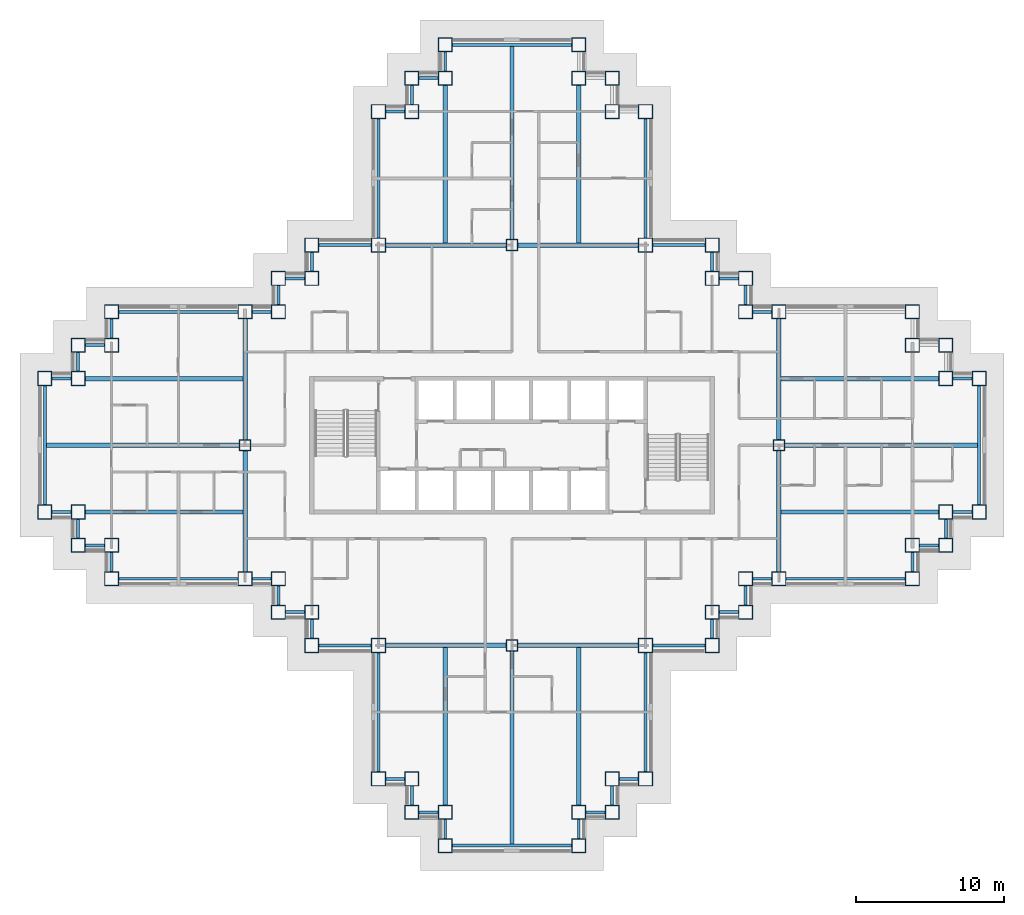
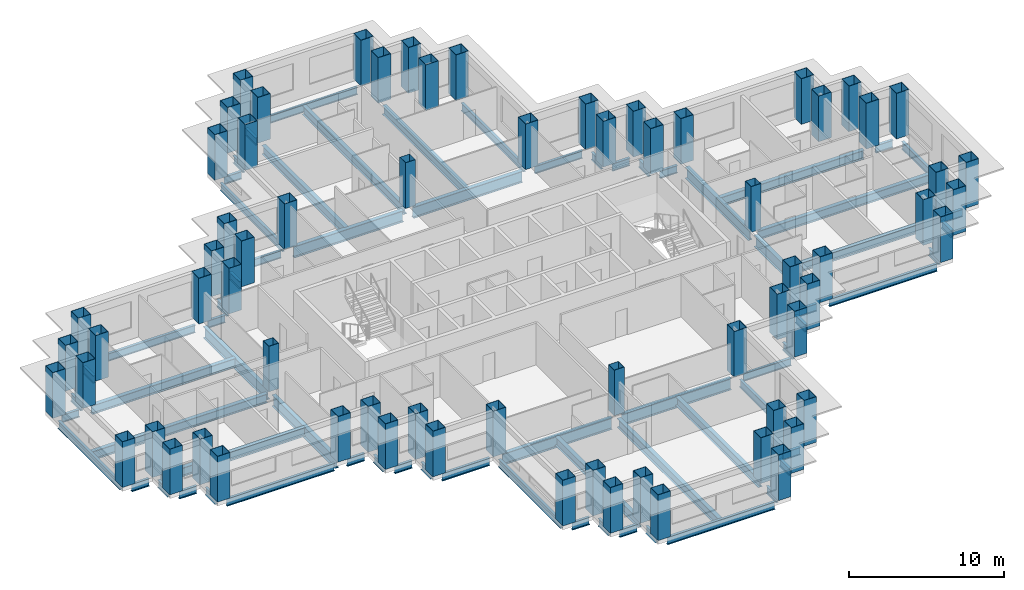
# One storey, part 1 of 15: 76 beams, 68 columns.
"""IFC4 building model written with IfcOpenShell, lengths in metres."""

from ifc_helpers import new_model, si_unit, direction, frame, origin, origin_2d, place, context, subcontext, project, spatial, hollow_rectangle, i_section, extrude, material, material_profile, profile_set, type_object, element, save


model = new_model("IFC4")

# Units and contexts
model_context = context("Model", 3, precision=1e-05, world=origin(), true_north=direction((0.0, 1.0)))
body_context = subcontext(model_context, "Body", "Model", "MODEL_VIEW")
ifc_project = project(units=[si_unit("LENGTHUNIT", "METRE"), si_unit("AREAUNIT", "SQUARE_METRE"), si_unit("VOLUMEUNIT", "CUBIC_METRE"), si_unit("PLANEANGLEUNIT", "RADIAN"), si_unit("MASSUNIT", "GRAM", prefix="KILO")], contexts=[model_context])

# Site, building, storey
site_placement = place(None, origin())
site = spatial("IfcSite", under=ifc_project, at=site_placement, CompositionType="ELEMENT")
building_placement = place(site_placement, origin())
building = spatial("IfcBuilding", under=site, at=building_placement, Name="Caravel Reach Hotel and Residences", CompositionType="ELEMENT")
storey_placement = place(building_placement, frame((0.0, 0.0, 78.0)))
storey = spatial("IfcBuildingStorey", under=building, at=storey_placement, Name="L18", CompositionType="ELEMENT", Elevation=78.0)

# Columns
ifc_material_1 = material(Name="Concrete-filled steel tube Q390B with Concrete C70 infill", Category="concrete")
ifc_material_profile_1 = material_profile(ifc_material_1, hollow_rectangle(XDim=0.75, YDim=0.75, WallThickness=0.02392578125, at=origin_2d()), Name="RHS 750x750x24")
ifc_profile_set_1 = profile_set([ifc_material_profile_1], Name="Concrete-filled steel tube Q390B with Concrete C70 infill")
column_type_1 = type_object("IfcColumnType", Name="CFT 750x750 Q390B C70", PredefinedType="COLUMN", material=ifc_profile_set_1)
for number, where, z_axis, x_axis, name in (
    (1, (31.5, 40.5, 0.0), (0.0, 0.0, 1.0), (1.0, 0.0, 0.0), "C16 column"),
    (2, (31.5, 13.5, 0.0), (0.0, 0.0, 1.0), (1.0, 0.0, 0.0), "C16 column"),
    (3, (13.5, 27.0, 0.0), (0.0, 0.0, 1.0), (1.0, 0.0, 0.0), "C16 column"),
    (4, (49.5, 27.0, 0.0), (0.0, 0.0, 1.0), (1.0, 0.0, 0.0), "C16 column"),
):
    element("IfcColumn", number, at=place(storey_placement, frame(where, z_axis=z_axis, x_axis=x_axis)), inside=storey, type_object=column_type_1, Name=name, PredefinedType="COLUMN", context=body_context, shape_type="SweptSolid", body=[
        extrude(hollow_rectangle(XDim=0.75, YDim=0.75, WallThickness=0.02392578125, at=origin_2d()), origin(), (0.0, 0.0, 1.0), 3.60009765625),
    ])
ifc_material_2 = material(Name="Concrete-filled steel tube Q390B with Concrete C70 infill", Category="concrete")
ifc_material_profile_2 = material_profile(ifc_material_2, hollow_rectangle(XDim=0.949951171875, YDim=0.949951171875, WallThickness=0.030029296875, at=origin_2d()), Name="RHS 950x950x30")
ifc_profile_set_2 = profile_set([ifc_material_profile_2], Name="Concrete-filled steel tube Q390B with Concrete C70 infill")
column_type_2 = type_object("IfcColumnType", Name="CFT 950x950 Q390B C70", PredefinedType="COLUMN", material=ifc_profile_set_2)
for number, where, z_axis, x_axis, name in (
    (5, (22.5, 4.5, 0.0), (0.0, 0.0, 1.0), (1.0, 0.0, 0.0), "C12 column"),
    (6, (24.75, 4.5, 0.0), (0.0, 0.0, 1.0), (1.0, 0.0, 0.0), "C12 column"),
    (7, (24.75, 2.25, 0.0), (0.0, 0.0, 1.0), (1.0, 0.0, 0.0), "C12 column"),
    (8, (27.0, 2.25, 0.0), (0.0, 0.0, 1.0), (1.0, 0.0, 0.0), "C12 column"),
    (9, (27.0, 0.0, 0.0), (0.0, 0.0, 1.0), (1.0, 0.0, 0.0), "C12 column"),
    (10, (36.0, 0.0, 0.0), (0.0, 0.0, 1.0), (1.0, 0.0, 0.0), "C12 column"),
    (11, (36.0, 2.25, 0.0), (0.0, 0.0, 1.0), (1.0, 0.0, 0.0), "C12 column"),
    (12, (38.25, 2.25, 0.0), (0.0, 0.0, 1.0), (1.0, 0.0, 0.0), "C12 column"),
    (13, (38.25, 4.5, 0.0), (0.0, 0.0, 1.0), (1.0, 0.0, 0.0), "C12 column"),
    (14, (40.5, 4.5, 0.0), (0.0, 0.0, 1.0), (1.0, 0.0, 0.0), "C12 column"),
    (15, (40.5, 13.5, 0.0), (0.0, 0.0, 1.0), (1.0, 0.0, 0.0), "C12 column"),
    (16, (45.0, 13.5, 0.0), (0.0, 0.0, 1.0), (1.0, 0.0, 0.0), "C12 column"),
    (17, (45.0, 15.75, 0.0), (0.0, 0.0, 1.0), (1.0, 0.0, 0.0), "C12 column"),
    (18, (47.25, 15.75, 0.0), (0.0, 0.0, 1.0), (1.0, 0.0, 0.0), "C12 column"),
    (19, (47.25, 18.0, 0.0), (0.0, 0.0, 1.0), (1.0, 0.0, 0.0), "C12 column"),
    (20, (49.5, 18.0, 0.0), (0.0, 0.0, 1.0), (1.0, 0.0, 0.0), "C12 column"),
    (21, (58.5, 18.0, 0.0), (0.0, 0.0, 1.0), (1.0, 0.0, 0.0), "C12 column"),
    (22, (58.5, 20.25, 0.0), (0.0, 0.0, 1.0), (1.0, 0.0, 0.0), "C12 column"),
    (23, (60.75, 20.25, 0.0), (0.0, 0.0, 1.0), (1.0, 0.0, 0.0), "C12 column"),
    (24, (60.75, 22.5, 0.0), (0.0, 0.0, 1.0), (1.0, 0.0, 0.0), "C12 column"),
    (25, (63.0, 22.5, 0.0), (0.0, 0.0, 1.0), (1.0, 0.0, 0.0), "C12 column"),
    (26, (63.0, 31.5, 0.0), (0.0, 0.0, 1.0), (1.0, 0.0, 0.0), "C12 column"),
    (27, (60.75, 31.5, 0.0), (0.0, 0.0, 1.0), (1.0, 0.0, 0.0), "C12 column"),
    (28, (60.75, 33.75, 0.0), (0.0, 0.0, 1.0), (1.0, 0.0, 0.0), "C12 column"),
    (29, (58.5, 33.75, 0.0), (0.0, 0.0, 1.0), (1.0, 0.0, 0.0), "C12 column"),
    (30, (58.5, 36.0, 0.0), (0.0, 0.0, 1.0), (1.0, 0.0, 0.0), "C12 column"),
    (31, (49.5, 36.0, 0.0), (0.0, 0.0, 1.0), (1.0, 0.0, 0.0), "C12 column"),
    (32, (47.25, 36.0, 0.0), (0.0, 0.0, 1.0), (1.0, 0.0, 0.0), "C12 column"),
    (33, (47.25, 38.25, 0.0), (0.0, 0.0, 1.0), (1.0, 0.0, 0.0), "C12 column"),
    (34, (45.0, 38.25, 0.0), (0.0, 0.0, 1.0), (1.0, 0.0, 0.0), "C12 column"),
    (35, (45.0, 40.5, 0.0), (0.0, 0.0, 1.0), (1.0, 0.0, 0.0), "C12 column"),
    (36, (40.5, 40.5, 0.0), (0.0, 0.0, 1.0), (1.0, 0.0, 0.0), "C12 column"),
    (37, (40.5, 49.5, 0.0), (0.0, 0.0, 1.0), (1.0, 0.0, 0.0), "C12 column"),
    (38, (38.25, 49.5, 0.0), (0.0, 0.0, 1.0), (1.0, 0.0, 0.0), "C12 column"),
    (39, (38.25, 51.75, 0.0), (0.0, 0.0, 1.0), (1.0, 0.0, 0.0), "C12 column"),
    (40, (36.0, 51.75, 0.0), (0.0, 0.0, 1.0), (1.0, 0.0, 0.0), "C12 column"),
    (41, (36.0, 54.0, 0.0), (0.0, 0.0, 1.0), (1.0, 0.0, 0.0), "C12 column"),
    (42, (27.0, 54.0, 0.0), (0.0, 0.0, 1.0), (1.0, 0.0, 0.0), "C12 column"),
    (43, (27.0, 51.75, 0.0), (0.0, 0.0, 1.0), (1.0, 0.0, 0.0), "C12 column"),
    (44, (24.75, 51.75, 0.0), (0.0, 0.0, 1.0), (1.0, 0.0, 0.0), "C12 column"),
    (45, (24.75, 49.5, 0.0), (0.0, 0.0, 1.0), (1.0, 0.0, 0.0), "C12 column"),
    (46, (22.5, 49.5, 0.0), (0.0, 0.0, 1.0), (1.0, 0.0, 0.0), "C12 column"),
    (47, (22.5, 40.5, 0.0), (0.0, 0.0, 1.0), (1.0, 0.0, 0.0), "C12 column"),
    (48, (18.0, 40.5, 0.0), (0.0, 0.0, 1.0), (1.0, 0.0, 0.0), "C12 column"),
    (49, (18.0, 38.25, 0.0), (0.0, 0.0, 1.0), (1.0, 0.0, 0.0), "C12 column"),
    (50, (15.75, 38.25, 0.0), (0.0, 0.0, 1.0), (1.0, 0.0, 0.0), "C12 column"),
    (51, (15.75, 36.0, 0.0), (0.0, 0.0, 1.0), (1.0, 0.0, 0.0), "C12 column"),
    (52, (13.5, 36.0, 0.0), (0.0, 0.0, 1.0), (1.0, 0.0, 0.0), "C12 column"),
    (53, (4.5, 36.0, 0.0), (0.0, 0.0, 1.0), (1.0, 0.0, 0.0), "C12 column"),
    (54, (4.5, 33.75, 0.0), (0.0, 0.0, 1.0), (1.0, 0.0, 0.0), "C12 column"),
    (55, (2.25, 33.75, 0.0), (0.0, 0.0, 1.0), (1.0, 0.0, 0.0), "C12 column"),
    (56, (2.25, 31.5, 0.0), (0.0, 0.0, 1.0), (1.0, 0.0, 0.0), "C12 column"),
    (57, (0.0, 31.5, 0.0), (0.0, 0.0, 1.0), (1.0, 0.0, 0.0), "C12 column"),
    (58, (0.0, 22.5, 0.0), (0.0, 0.0, 1.0), (1.0, 0.0, 0.0), "C12 column"),
    (59, (2.25, 22.5, 0.0), (0.0, 0.0, 1.0), (1.0, 0.0, 0.0), "C12 column"),
    (60, (2.25, 20.25, 0.0), (0.0, 0.0, 1.0), (1.0, 0.0, 0.0), "C12 column"),
    (61, (4.5, 20.25, 0.0), (0.0, 0.0, 1.0), (1.0, 0.0, 0.0), "C12 column"),
    (62, (4.5, 18.0, 0.0), (0.0, 0.0, 1.0), (1.0, 0.0, 0.0), "C12 column"),
    (63, (13.5, 18.0, 0.0), (0.0, 0.0, 1.0), (1.0, 0.0, 0.0), "C12 column"),
    (64, (15.75, 18.0, 0.0), (0.0, 0.0, 1.0), (1.0, 0.0, 0.0), "C12 column"),
    (65, (15.75, 15.75, 0.0), (0.0, 0.0, 1.0), (1.0, 0.0, 0.0), "C12 column"),
    (66, (18.0, 15.75, 0.0), (0.0, 0.0, 1.0), (1.0, 0.0, 0.0), "C12 column"),
    (67, (18.0, 13.5, 0.0), (0.0, 0.0, 1.0), (1.0, 0.0, 0.0), "C12 column"),
    (68, (22.5, 13.5, 0.0), (0.0, 0.0, 1.0), (1.0, 0.0, 0.0), "C12 column"),
):
    element("IfcColumn", number, at=place(storey_placement, frame(where, z_axis=z_axis, x_axis=x_axis)), inside=storey, type_object=column_type_2, Name=name, PredefinedType="COLUMN", context=body_context, shape_type="SweptSolid", body=[
        extrude(hollow_rectangle(XDim=0.949951171875, YDim=0.949951171875, WallThickness=0.030029296875, at=origin_2d()), origin(), (0.0, 0.0, 1.0), 3.60009765625),
    ])

# Beams
ifc_material_3 = material(Name="Structural steel Q355B", Category="steel")
ifc_material_profile_3 = material_profile(ifc_material_3, i_section(OverallWidth=0.300048828125, OverallDepth=0.699951171875, WebThickness=0.012939453125, FlangeThickness=0.02392578125, FilletRadius=0.01806640625, at=origin_2d()), Name="HN 700x300x13x24")
ifc_profile_set_3 = profile_set([ifc_material_profile_3], Name="Structural steel Q355B")
beam_type_1 = type_object("IfcBeamType", Name="Beam HN 700x300x13x24", PredefinedType="BEAM", material=ifc_profile_set_3)
beam_1_placement = place(storey_placement, frame((27.0, 40.60009765625, -0.64990234375), z_axis=(0.0, 1.0, 0.0), x_axis=(-1.0, 0.0, 0.0)))
element("IfcBeam", 69, at=beam_1_placement, inside=storey, type_object=beam_type_1, Name="B2 HN 700x300x13x24", PredefinedType="BEAM", context=body_context, shape_type="SweptSolid", body=[
    extrude(i_section(OverallWidth=0.300048828125, OverallDepth=0.699951171875, WebThickness=0.012939453125, FlangeThickness=0.02392578125, FilletRadius=0.01806640625, at=origin_2d()), origin(), (0.0, 0.0, 1.0), 10.724853515625),
])
beam_2_placement = place(storey_placement, frame((31.5, 40.824951171875, -0.64990234375), z_axis=(0.0, 1.0, 0.0), x_axis=(-1.0, 0.0, 0.0)))
element("IfcBeam", 70, at=beam_2_placement, inside=storey, type_object=beam_type_1, Name="B2 HN 700x300x13x24", PredefinedType="BEAM", context=body_context, shape_type="SweptSolid", body=[
    extrude(i_section(OverallWidth=0.300048828125, OverallDepth=0.699951171875, WebThickness=0.012939453125, FlangeThickness=0.02392578125, FilletRadius=0.01806640625, at=origin_2d()), origin(), (0.0, 0.0, 1.0), 13.074951171875),
])
for number, where, z_axis, x_axis, name in (
    (71, (36.0, 40.60009765625, -0.64990234375), (0.0, 1.0, 0.0), (-1.0, 0.0, 0.0), "B2 HN 700x300x13x24"),
    (72, (27.0, 13.39990234375, -0.64990234375), (0.0, -1.0, 0.0), (1.0, 0.0, 0.0), "B2 HN 700x300x13x24"),
):
    element("IfcBeam", number, at=place(storey_placement, frame(where, z_axis=z_axis, x_axis=x_axis)), inside=storey, type_object=beam_type_1, Name=name, PredefinedType="BEAM", context=body_context, shape_type="SweptSolid", body=[
        extrude(i_section(OverallWidth=0.300048828125, OverallDepth=0.699951171875, WebThickness=0.012939453125, FlangeThickness=0.02392578125, FilletRadius=0.01806640625, at=origin_2d()), origin(), (0.0, 0.0, 1.0), 10.724853515625),
    ])
beam_3_placement = place(storey_placement, frame((31.5, 13.175048828125, -0.64990234375), z_axis=(0.0, -1.0, 0.0), x_axis=(1.0, 0.0, 0.0)))
element("IfcBeam", 73, at=beam_3_placement, inside=storey, type_object=beam_type_1, Name="B2 HN 700x300x13x24", PredefinedType="BEAM", context=body_context, shape_type="SweptSolid", body=[
    extrude(i_section(OverallWidth=0.300048828125, OverallDepth=0.699951171875, WebThickness=0.012939453125, FlangeThickness=0.02392578125, FilletRadius=0.01806640625, at=origin_2d()), origin(), (0.0, 0.0, 1.0), 13.074951171875),
])
for number, where, z_axis, x_axis, name in (
    (74, (36.0, 13.39990234375, -0.64990234375), (0.0, -1.0, 0.0), (1.0, 0.0, 0.0), "B2 HN 700x300x13x24"),
    (75, (49.60009765625, 22.5, -0.64990234375), (1.0, 0.0, 0.0), (0.0, 1.0, 0.0), "B2 HN 700x300x13x24"),
):
    element("IfcBeam", number, at=place(storey_placement, frame(where, z_axis=z_axis, x_axis=x_axis)), inside=storey, type_object=beam_type_1, Name=name, PredefinedType="BEAM", context=body_context, shape_type="SweptSolid", body=[
        extrude(i_section(OverallWidth=0.300048828125, OverallDepth=0.699951171875, WebThickness=0.012939453125, FlangeThickness=0.02392578125, FilletRadius=0.01806640625, at=origin_2d()), origin(), (0.0, 0.0, 1.0), 10.724853515625),
    ])
beam_4_placement = place(storey_placement, frame((49.824951171875, 27.0, -0.64990234375), z_axis=(1.0, 0.0, 0.0), x_axis=(0.0, 1.0, 0.0)))
element("IfcBeam", 76, at=beam_4_placement, inside=storey, type_object=beam_type_1, Name="B2 HN 700x300x13x24", PredefinedType="BEAM", context=body_context, shape_type="SweptSolid", body=[
    extrude(i_section(OverallWidth=0.300048828125, OverallDepth=0.699951171875, WebThickness=0.012939453125, FlangeThickness=0.02392578125, FilletRadius=0.01806640625, at=origin_2d()), origin(), (0.0, 0.0, 1.0), 13.074951171875),
])
for number, where, z_axis, x_axis, name in (
    (77, (49.60009765625, 31.5, -0.64990234375), (1.0, 0.0, 0.0), (0.0, 1.0, 0.0), "B2 HN 700x300x13x24"),
    (78, (13.39990234375, 22.5, -0.64990234375), (-1.0, 0.0, 0.0), (0.0, -1.0, 0.0), "B2 HN 700x300x13x24"),
):
    element("IfcBeam", number, at=place(storey_placement, frame(where, z_axis=z_axis, x_axis=x_axis)), inside=storey, type_object=beam_type_1, Name=name, PredefinedType="BEAM", context=body_context, shape_type="SweptSolid", body=[
        extrude(i_section(OverallWidth=0.300048828125, OverallDepth=0.699951171875, WebThickness=0.012939453125, FlangeThickness=0.02392578125, FilletRadius=0.01806640625, at=origin_2d()), origin(), (0.0, 0.0, 1.0), 10.724853515625),
    ])
beam_5_placement = place(storey_placement, frame((13.175048828125, 27.0, -0.64990234375), z_axis=(-1.0, 0.0, 0.0), x_axis=(0.0, -1.0, 0.0)))
element("IfcBeam", 79, at=beam_5_placement, inside=storey, type_object=beam_type_1, Name="B2 HN 700x300x13x24", PredefinedType="BEAM", context=body_context, shape_type="SweptSolid", body=[
    extrude(i_section(OverallWidth=0.300048828125, OverallDepth=0.699951171875, WebThickness=0.012939453125, FlangeThickness=0.02392578125, FilletRadius=0.01806640625, at=origin_2d()), origin(), (0.0, 0.0, 1.0), 13.074951171875),
])
beam_6_placement = place(storey_placement, frame((13.39990234375, 31.5, -0.64990234375), z_axis=(-1.0, 0.0, 0.0), x_axis=(0.0, -1.0, 0.0)))
element("IfcBeam", 80, at=beam_6_placement, inside=storey, type_object=beam_type_1, Name="B2 HN 700x300x13x24", PredefinedType="BEAM", context=body_context, shape_type="SweptSolid", body=[
    extrude(i_section(OverallWidth=0.300048828125, OverallDepth=0.699951171875, WebThickness=0.012939453125, FlangeThickness=0.02392578125, FilletRadius=0.01806640625, at=origin_2d()), origin(), (0.0, 0.0, 1.0), 10.724853515625),
])
ifc_material_4 = material(Name="Structural steel Q355B", Category="steel")
ifc_material_profile_4 = material_profile(ifc_material_4, i_section(OverallWidth=0.300048828125, OverallDepth=0.89990234375, WebThickness=0.01611328125, FlangeThickness=0.028076171875, FilletRadius=0.01806640625, at=origin_2d()), Name="HN 900x300x16x28")
ifc_profile_set_4 = profile_set([ifc_material_profile_4], Name="Structural steel Q355B")
beam_type_2 = type_object("IfcBeamType", Name="Beam HN 900x300x16x28", PredefinedType="BEAM", material=ifc_profile_set_4)
for number, where, z_axis, x_axis, name in (
    (81, (22.97509765625, 40.5, -0.75), (1.0, 0.0, 0.0), (0.0, 1.0, 0.0), "B3 HN 900x300x16x28"),
    (82, (31.875, 40.5, -0.75), (1.0, 0.0, 0.0), (0.0, 1.0, 0.0), "B3 HN 900x300x16x28"),
    (83, (22.97509765625, 13.5, -0.75), (1.0, 0.0, 0.0), (0.0, 1.0, 0.0), "B3 HN 900x300x16x28"),
    (84, (31.875, 13.5, -0.75), (1.0, 0.0, 0.0), (0.0, 1.0, 0.0), "B3 HN 900x300x16x28"),
    (85, (13.5, 18.47509765625, -0.75), (0.0, 1.0, 0.0), (-1.0, 0.0, 0.0), "B3 HN 900x300x16x28"),
    (86, (13.5, 27.375, -0.75), (0.0, 1.0, 0.0), (-1.0, 0.0, 0.0), "B3 HN 900x300x16x28"),
    (87, (49.5, 18.47509765625, -0.75), (0.0, 1.0, 0.0), (-1.0, 0.0, 0.0), "B3 HN 900x300x16x28"),
    (88, (49.5, 27.375, -0.75), (0.0, 1.0, 0.0), (-1.0, 0.0, 0.0), "B3 HN 900x300x16x28"),
):
    element("IfcBeam", number, at=place(storey_placement, frame(where, z_axis=z_axis, x_axis=x_axis)), inside=storey, type_object=beam_type_2, Name=name, PredefinedType="BEAM", context=body_context, shape_type="SweptSolid", body=[
        extrude(i_section(OverallWidth=0.300048828125, OverallDepth=0.89990234375, WebThickness=0.01611328125, FlangeThickness=0.028076171875, FilletRadius=0.01806640625, at=origin_2d()), origin(), (0.0, 0.0, 1.0), 8.14990234375),
    ])
ifc_material_5 = material(Name="Structural steel Q355B", Category="steel")
ifc_material_profile_5 = material_profile(ifc_material_5, i_section(OverallWidth=0.199951171875, OverallDepth=0.60009765625, WebThickness=0.010986328125, FlangeThickness=0.01708984375, FilletRadius=0.012939453125, at=origin_2d()), Name="HN 600x200x11x17")
ifc_profile_set_5 = profile_set([ifc_material_profile_5], Name="Structural steel Q355B")
beam_type_3 = type_object("IfcBeamType", Name="Spandrel beam HN 600x200x11x17", PredefinedType="SPANDREL", material=ifc_profile_set_5)
for number, where, z_axis, x_axis, name in (
    (89, (22.97509765625, 4.5, -0.60009765625), (1.0, 0.0, 0.0), (0.0, 1.0, 0.0), "SP1 HN 600x200x11x17"),
    (90, (24.75, 4.02490234375, -0.60009765625), (0.0, -1.0, 0.0), (1.0, 0.0, 0.0), "SP1 HN 600x200x11x17"),
    (91, (25.22509765625, 2.25, -0.60009765625), (1.0, 0.0, 0.0), (0.0, 1.0, 0.0), "SP1 HN 600x200x11x17"),
    (92, (27.0, 1.77490234375, -0.60009765625), (0.0, -1.0, 0.0), (1.0, 0.0, 0.0), "SP1 HN 600x200x11x17"),
):
    element("IfcBeam", number, at=place(storey_placement, frame(where, z_axis=z_axis, x_axis=x_axis)), inside=storey, type_object=beam_type_3, Name=name, PredefinedType="SPANDREL", context=body_context, shape_type="SweptSolid", body=[
        extrude(i_section(OverallWidth=0.199951171875, OverallDepth=0.60009765625, WebThickness=0.010986328125, FlangeThickness=0.01708984375, FilletRadius=0.012939453125, at=origin_2d()), origin(), (0.0, 0.0, 1.0), 1.2998046875),
    ])
beam_7_placement = place(storey_placement, frame((27.47509765625, 0.0, -0.60009765625), z_axis=(1.0, 0.0, 0.0), x_axis=(0.0, 1.0, 0.0)))
element("IfcBeam", 93, at=beam_7_placement, inside=storey, type_object=beam_type_3, Name="SP1 HN 600x200x11x17", PredefinedType="SPANDREL", context=body_context, shape_type="SweptSolid", body=[
    extrude(i_section(OverallWidth=0.199951171875, OverallDepth=0.60009765625, WebThickness=0.010986328125, FlangeThickness=0.01708984375, FilletRadius=0.012939453125, at=origin_2d()), origin(), (0.0, 0.0, 1.0), 8.0498046875),
])
for number, where, z_axis, x_axis, name in (
    (94, (36.0, 0.47509765625, -0.60009765625), (0.0, 1.0, 0.0), (-1.0, 0.0, 0.0), "SP1 HN 600x200x11x17"),
    (95, (36.47509765625, 2.25, -0.60009765625), (1.0, 0.0, 0.0), (0.0, 1.0, 0.0), "SP1 HN 600x200x11x17"),
    (96, (38.25, 2.72509765625, -0.60009765625), (0.0, 1.0, 0.0), (-1.0, 0.0, 0.0), "SP1 HN 600x200x11x17"),
    (97, (38.72509765625, 4.5, -0.60009765625), (1.0, 0.0, 0.0), (0.0, 1.0, 0.0), "SP1 HN 600x200x11x17"),
):
    element("IfcBeam", number, at=place(storey_placement, frame(where, z_axis=z_axis, x_axis=x_axis)), inside=storey, type_object=beam_type_3, Name=name, PredefinedType="SPANDREL", context=body_context, shape_type="SweptSolid", body=[
        extrude(i_section(OverallWidth=0.199951171875, OverallDepth=0.60009765625, WebThickness=0.010986328125, FlangeThickness=0.01708984375, FilletRadius=0.012939453125, at=origin_2d()), origin(), (0.0, 0.0, 1.0), 1.2998046875),
    ])
beam_8_placement = place(storey_placement, frame((40.5, 4.97509765625, -0.60009765625), z_axis=(0.0, 1.0, 0.0), x_axis=(-1.0, 0.0, 0.0)))
element("IfcBeam", 98, at=beam_8_placement, inside=storey, type_object=beam_type_3, Name="SP1 HN 600x200x11x17", PredefinedType="SPANDREL", context=body_context, shape_type="SweptSolid", body=[
    extrude(i_section(OverallWidth=0.199951171875, OverallDepth=0.60009765625, WebThickness=0.010986328125, FlangeThickness=0.01708984375, FilletRadius=0.012939453125, at=origin_2d()), origin(), (0.0, 0.0, 1.0), 8.0498046875),
])
beam_9_placement = place(storey_placement, frame((40.97509765625, 13.5, -0.60009765625), z_axis=(1.0, 0.0, 0.0), x_axis=(0.0, 1.0, 0.0)))
element("IfcBeam", 99, at=beam_9_placement, inside=storey, type_object=beam_type_3, Name="SP1 HN 600x200x11x17", PredefinedType="SPANDREL", context=body_context, shape_type="SweptSolid", body=[
    extrude(i_section(OverallWidth=0.199951171875, OverallDepth=0.60009765625, WebThickness=0.010986328125, FlangeThickness=0.01708984375, FilletRadius=0.012939453125, at=origin_2d()), origin(), (0.0, 0.0, 1.0), 3.5498046875),
])
for number, where, z_axis, x_axis, name in (
    (100, (45.0, 13.97509765625, -0.60009765625), (0.0, 1.0, 0.0), (-1.0, 0.0, 0.0), "SP1 HN 600x200x11x17"),
    (101, (45.47509765625, 15.75, -0.60009765625), (1.0, 0.0, 0.0), (0.0, 1.0, 0.0), "SP1 HN 600x200x11x17"),
    (102, (47.25, 16.22509765625, -0.60009765625), (0.0, 1.0, 0.0), (-1.0, 0.0, 0.0), "SP1 HN 600x200x11x17"),
    (103, (47.72509765625, 18.0, -0.60009765625), (1.0, 0.0, 0.0), (0.0, 1.0, 0.0), "SP1 HN 600x200x11x17"),
):
    element("IfcBeam", number, at=place(storey_placement, frame(where, z_axis=z_axis, x_axis=x_axis)), inside=storey, type_object=beam_type_3, Name=name, PredefinedType="SPANDREL", context=body_context, shape_type="SweptSolid", body=[
        extrude(i_section(OverallWidth=0.199951171875, OverallDepth=0.60009765625, WebThickness=0.010986328125, FlangeThickness=0.01708984375, FilletRadius=0.012939453125, at=origin_2d()), origin(), (0.0, 0.0, 1.0), 1.2998046875),
    ])
beam_10_placement = place(storey_placement, frame((49.97509765625, 18.0, -0.60009765625), z_axis=(1.0, 0.0, 0.0), x_axis=(0.0, 1.0, 0.0)))
element("IfcBeam", 104, at=beam_10_placement, inside=storey, type_object=beam_type_3, Name="SP1 HN 600x200x11x17", PredefinedType="SPANDREL", context=body_context, shape_type="SweptSolid", body=[
    extrude(i_section(OverallWidth=0.199951171875, OverallDepth=0.60009765625, WebThickness=0.010986328125, FlangeThickness=0.01708984375, FilletRadius=0.012939453125, at=origin_2d()), origin(), (0.0, 0.0, 1.0), 8.0498046875),
])
for number, where, z_axis, x_axis, name in (
    (105, (58.5, 18.47509765625, -0.60009765625), (0.0, 1.0, 0.0), (-1.0, 0.0, 0.0), "SP1 HN 600x200x11x17"),
    (106, (58.97509765625, 20.25, -0.60009765625), (1.0, 0.0, 0.0), (0.0, 1.0, 0.0), "SP1 HN 600x200x11x17"),
    (107, (60.75, 20.72509765625, -0.60009765625), (0.0, 1.0, 0.0), (-1.0, 0.0, 0.0), "SP1 HN 600x200x11x17"),
    (108, (61.22509765625, 22.5, -0.60009765625), (1.0, 0.0, 0.0), (0.0, 1.0, 0.0), "SP1 HN 600x200x11x17"),
):
    element("IfcBeam", number, at=place(storey_placement, frame(where, z_axis=z_axis, x_axis=x_axis)), inside=storey, type_object=beam_type_3, Name=name, PredefinedType="SPANDREL", context=body_context, shape_type="SweptSolid", body=[
        extrude(i_section(OverallWidth=0.199951171875, OverallDepth=0.60009765625, WebThickness=0.010986328125, FlangeThickness=0.01708984375, FilletRadius=0.012939453125, at=origin_2d()), origin(), (0.0, 0.0, 1.0), 1.2998046875),
    ])
beam_11_placement = place(storey_placement, frame((63.0, 22.97509765625, -0.60009765625), z_axis=(0.0, 1.0, 0.0), x_axis=(-1.0, 0.0, 0.0)))
element("IfcBeam", 109, at=beam_11_placement, inside=storey, type_object=beam_type_3, Name="SP1 HN 600x200x11x17", PredefinedType="SPANDREL", context=body_context, shape_type="SweptSolid", body=[
    extrude(i_section(OverallWidth=0.199951171875, OverallDepth=0.60009765625, WebThickness=0.010986328125, FlangeThickness=0.01708984375, FilletRadius=0.012939453125, at=origin_2d()), origin(), (0.0, 0.0, 1.0), 8.0498046875),
])
for number, where, z_axis, x_axis, name in (
    (110, (62.52490234375, 31.5, -0.60009765625), (-1.0, 0.0, 0.0), (0.0, -1.0, 0.0), "SP1 HN 600x200x11x17"),
    (111, (49.02490234375, 36.0, -0.60009765625), (-1.0, 0.0, 0.0), (0.0, -1.0, 0.0), "SP1 HN 600x200x11x17"),
    (112, (47.25, 36.47509765625, -0.60009765625), (0.0, 1.0, 0.0), (-1.0, 0.0, 0.0), "SP1 HN 600x200x11x17"),
    (113, (46.77490234375, 38.25, -0.60009765625), (-1.0, 0.0, 0.0), (0.0, -1.0, 0.0), "SP1 HN 600x200x11x17"),
    (114, (45.0, 38.72509765625, -0.60009765625), (0.0, 1.0, 0.0), (-1.0, 0.0, 0.0), "SP1 HN 600x200x11x17"),
):
    element("IfcBeam", number, at=place(storey_placement, frame(where, z_axis=z_axis, x_axis=x_axis)), inside=storey, type_object=beam_type_3, Name=name, PredefinedType="SPANDREL", context=body_context, shape_type="SweptSolid", body=[
        extrude(i_section(OverallWidth=0.199951171875, OverallDepth=0.60009765625, WebThickness=0.010986328125, FlangeThickness=0.01708984375, FilletRadius=0.012939453125, at=origin_2d()), origin(), (0.0, 0.0, 1.0), 1.2998046875),
    ])
beam_12_placement = place(storey_placement, frame((44.52490234375, 40.5, -0.60009765625), z_axis=(-1.0, 0.0, 0.0), x_axis=(0.0, -1.0, 0.0)))
element("IfcBeam", 115, at=beam_12_placement, inside=storey, type_object=beam_type_3, Name="SP1 HN 600x200x11x17", PredefinedType="SPANDREL", context=body_context, shape_type="SweptSolid", body=[
    extrude(i_section(OverallWidth=0.199951171875, OverallDepth=0.60009765625, WebThickness=0.010986328125, FlangeThickness=0.01708984375, FilletRadius=0.012939453125, at=origin_2d()), origin(), (0.0, 0.0, 1.0), 3.5498046875),
])
for number, where, z_axis, x_axis, name in (
    (116, (40.5, 40.97509765625, -0.60009765625), (0.0, 1.0, 0.0), (-1.0, 0.0, 0.0), "SP1 HN 600x200x11x17"),
    (117, (35.52490234375, 54.0, -0.60009765625), (-1.0, 0.0, 0.0), (0.0, -1.0, 0.0), "SP1 HN 600x200x11x17"),
):
    element("IfcBeam", number, at=place(storey_placement, frame(where, z_axis=z_axis, x_axis=x_axis)), inside=storey, type_object=beam_type_3, Name=name, PredefinedType="SPANDREL", context=body_context, shape_type="SweptSolid", body=[
        extrude(i_section(OverallWidth=0.199951171875, OverallDepth=0.60009765625, WebThickness=0.010986328125, FlangeThickness=0.01708984375, FilletRadius=0.012939453125, at=origin_2d()), origin(), (0.0, 0.0, 1.0), 8.0498046875),
    ])
for number, where, z_axis, x_axis, name in (
    (118, (27.0, 53.52490234375, -0.60009765625), (0.0, -1.0, 0.0), (1.0, 0.0, 0.0), "SP1 HN 600x200x11x17"),
    (119, (26.52490234375, 51.75, -0.60009765625), (-1.0, 0.0, 0.0), (0.0, -1.0, 0.0), "SP1 HN 600x200x11x17"),
    (120, (24.75, 51.27490234375, -0.60009765625), (0.0, -1.0, 0.0), (1.0, 0.0, 0.0), "SP1 HN 600x200x11x17"),
    (121, (24.27490234375, 49.5, -0.60009765625), (-1.0, 0.0, 0.0), (0.0, -1.0, 0.0), "SP1 HN 600x200x11x17"),
):
    element("IfcBeam", number, at=place(storey_placement, frame(where, z_axis=z_axis, x_axis=x_axis)), inside=storey, type_object=beam_type_3, Name=name, PredefinedType="SPANDREL", context=body_context, shape_type="SweptSolid", body=[
        extrude(i_section(OverallWidth=0.199951171875, OverallDepth=0.60009765625, WebThickness=0.010986328125, FlangeThickness=0.01708984375, FilletRadius=0.012939453125, at=origin_2d()), origin(), (0.0, 0.0, 1.0), 1.2998046875),
    ])
beam_13_placement = place(storey_placement, frame((22.5, 49.02490234375, -0.60009765625), z_axis=(0.0, -1.0, 0.0), x_axis=(1.0, 0.0, 0.0)))
element("IfcBeam", 122, at=beam_13_placement, inside=storey, type_object=beam_type_3, Name="SP1 HN 600x200x11x17", PredefinedType="SPANDREL", context=body_context, shape_type="SweptSolid", body=[
    extrude(i_section(OverallWidth=0.199951171875, OverallDepth=0.60009765625, WebThickness=0.010986328125, FlangeThickness=0.01708984375, FilletRadius=0.012939453125, at=origin_2d()), origin(), (0.0, 0.0, 1.0), 8.0498046875),
])
beam_14_placement = place(storey_placement, frame((22.02490234375, 40.5, -0.60009765625), z_axis=(-1.0, 0.0, 0.0), x_axis=(0.0, -1.0, 0.0)))
element("IfcBeam", 123, at=beam_14_placement, inside=storey, type_object=beam_type_3, Name="SP1 HN 600x200x11x17", PredefinedType="SPANDREL", context=body_context, shape_type="SweptSolid", body=[
    extrude(i_section(OverallWidth=0.199951171875, OverallDepth=0.60009765625, WebThickness=0.010986328125, FlangeThickness=0.01708984375, FilletRadius=0.012939453125, at=origin_2d()), origin(), (0.0, 0.0, 1.0), 3.5498046875),
])
for number, where, z_axis, x_axis, name in (
    (124, (18.0, 40.02490234375, -0.60009765625), (0.0, -1.0, 0.0), (1.0, 0.0, 0.0), "SP1 HN 600x200x11x17"),
    (125, (17.52490234375, 38.25, -0.60009765625), (-1.0, 0.0, 0.0), (0.0, -1.0, 0.0), "SP1 HN 600x200x11x17"),
    (126, (15.75, 37.77490234375, -0.60009765625), (0.0, -1.0, 0.0), (1.0, 0.0, 0.0), "SP1 HN 600x200x11x17"),
    (127, (15.27490234375, 36.0, -0.60009765625), (-1.0, 0.0, 0.0), (0.0, -1.0, 0.0), "SP1 HN 600x200x11x17"),
):
    element("IfcBeam", number, at=place(storey_placement, frame(where, z_axis=z_axis, x_axis=x_axis)), inside=storey, type_object=beam_type_3, Name=name, PredefinedType="SPANDREL", context=body_context, shape_type="SweptSolid", body=[
        extrude(i_section(OverallWidth=0.199951171875, OverallDepth=0.60009765625, WebThickness=0.010986328125, FlangeThickness=0.01708984375, FilletRadius=0.012939453125, at=origin_2d()), origin(), (0.0, 0.0, 1.0), 1.2998046875),
    ])
beam_15_placement = place(storey_placement, frame((13.02490234375, 36.0, -0.60009765625), z_axis=(-1.0, 0.0, 0.0), x_axis=(0.0, -1.0, 0.0)))
element("IfcBeam", 128, at=beam_15_placement, inside=storey, type_object=beam_type_3, Name="SP1 HN 600x200x11x17", PredefinedType="SPANDREL", context=body_context, shape_type="SweptSolid", body=[
    extrude(i_section(OverallWidth=0.199951171875, OverallDepth=0.60009765625, WebThickness=0.010986328125, FlangeThickness=0.01708984375, FilletRadius=0.012939453125, at=origin_2d()), origin(), (0.0, 0.0, 1.0), 8.0498046875),
])
for number, where, z_axis, x_axis, name in (
    (129, (4.5, 35.52490234375, -0.60009765625), (0.0, -1.0, 0.0), (1.0, 0.0, 0.0), "SP1 HN 600x200x11x17"),
    (130, (4.02490234375, 33.75, -0.60009765625), (-1.0, 0.0, 0.0), (0.0, -1.0, 0.0), "SP1 HN 600x200x11x17"),
    (131, (2.25, 33.27490234375, -0.60009765625), (0.0, -1.0, 0.0), (1.0, 0.0, 0.0), "SP1 HN 600x200x11x17"),
    (132, (1.77490234375, 31.5, -0.60009765625), (-1.0, 0.0, 0.0), (0.0, -1.0, 0.0), "SP1 HN 600x200x11x17"),
):
    element("IfcBeam", number, at=place(storey_placement, frame(where, z_axis=z_axis, x_axis=x_axis)), inside=storey, type_object=beam_type_3, Name=name, PredefinedType="SPANDREL", context=body_context, shape_type="SweptSolid", body=[
        extrude(i_section(OverallWidth=0.199951171875, OverallDepth=0.60009765625, WebThickness=0.010986328125, FlangeThickness=0.01708984375, FilletRadius=0.012939453125, at=origin_2d()), origin(), (0.0, 0.0, 1.0), 1.2998046875),
    ])
beam_16_placement = place(storey_placement, frame((0.0, 31.02490234375, -0.60009765625), z_axis=(0.0, -1.0, 0.0), x_axis=(1.0, 0.0, 0.0)))
element("IfcBeam", 133, at=beam_16_placement, inside=storey, type_object=beam_type_3, Name="SP1 HN 600x200x11x17", PredefinedType="SPANDREL", context=body_context, shape_type="SweptSolid", body=[
    extrude(i_section(OverallWidth=0.199951171875, OverallDepth=0.60009765625, WebThickness=0.010986328125, FlangeThickness=0.01708984375, FilletRadius=0.012939453125, at=origin_2d()), origin(), (0.0, 0.0, 1.0), 8.0498046875),
])
for number, where, z_axis, x_axis, name in (
    (134, (0.47509765625, 22.5, -0.60009765625), (1.0, 0.0, 0.0), (0.0, 1.0, 0.0), "SP1 HN 600x200x11x17"),
    (135, (2.25, 22.02490234375, -0.60009765625), (0.0, -1.0, 0.0), (1.0, 0.0, 0.0), "SP1 HN 600x200x11x17"),
    (136, (2.72509765625, 20.25, -0.60009765625), (1.0, 0.0, 0.0), (0.0, 1.0, 0.0), "SP1 HN 600x200x11x17"),
    (137, (4.5, 19.77490234375, -0.60009765625), (0.0, -1.0, 0.0), (1.0, 0.0, 0.0), "SP1 HN 600x200x11x17"),
):
    element("IfcBeam", number, at=place(storey_placement, frame(where, z_axis=z_axis, x_axis=x_axis)), inside=storey, type_object=beam_type_3, Name=name, PredefinedType="SPANDREL", context=body_context, shape_type="SweptSolid", body=[
        extrude(i_section(OverallWidth=0.199951171875, OverallDepth=0.60009765625, WebThickness=0.010986328125, FlangeThickness=0.01708984375, FilletRadius=0.012939453125, at=origin_2d()), origin(), (0.0, 0.0, 1.0), 1.2998046875),
    ])
beam_17_placement = place(storey_placement, frame((4.97509765625, 18.0, -0.60009765625), z_axis=(1.0, 0.0, 0.0), x_axis=(0.0, 1.0, 0.0)))
element("IfcBeam", 138, at=beam_17_placement, inside=storey, type_object=beam_type_3, Name="SP1 HN 600x200x11x17", PredefinedType="SPANDREL", context=body_context, shape_type="SweptSolid", body=[
    extrude(i_section(OverallWidth=0.199951171875, OverallDepth=0.60009765625, WebThickness=0.010986328125, FlangeThickness=0.01708984375, FilletRadius=0.012939453125, at=origin_2d()), origin(), (0.0, 0.0, 1.0), 8.0498046875),
])
for number, where, z_axis, x_axis, name in (
    (139, (13.97509765625, 18.0, -0.60009765625), (1.0, 0.0, 0.0), (0.0, 1.0, 0.0), "SP1 HN 600x200x11x17"),
    (140, (15.75, 17.52490234375, -0.60009765625), (0.0, -1.0, 0.0), (1.0, 0.0, 0.0), "SP1 HN 600x200x11x17"),
    (141, (16.22509765625, 15.75, -0.60009765625), (1.0, 0.0, 0.0), (0.0, 1.0, 0.0), "SP1 HN 600x200x11x17"),
    (142, (18.0, 15.27490234375, -0.60009765625), (0.0, -1.0, 0.0), (1.0, 0.0, 0.0), "SP1 HN 600x200x11x17"),
):
    element("IfcBeam", number, at=place(storey_placement, frame(where, z_axis=z_axis, x_axis=x_axis)), inside=storey, type_object=beam_type_3, Name=name, PredefinedType="SPANDREL", context=body_context, shape_type="SweptSolid", body=[
        extrude(i_section(OverallWidth=0.199951171875, OverallDepth=0.60009765625, WebThickness=0.010986328125, FlangeThickness=0.01708984375, FilletRadius=0.012939453125, at=origin_2d()), origin(), (0.0, 0.0, 1.0), 1.2998046875),
    ])
beam_18_placement = place(storey_placement, frame((18.47509765625, 13.5, -0.60009765625), z_axis=(1.0, 0.0, 0.0), x_axis=(0.0, 1.0, 0.0)))
element("IfcBeam", 143, at=beam_18_placement, inside=storey, type_object=beam_type_3, Name="SP1 HN 600x200x11x17", PredefinedType="SPANDREL", context=body_context, shape_type="SweptSolid", body=[
    extrude(i_section(OverallWidth=0.199951171875, OverallDepth=0.60009765625, WebThickness=0.010986328125, FlangeThickness=0.01708984375, FilletRadius=0.012939453125, at=origin_2d()), origin(), (0.0, 0.0, 1.0), 3.5498046875),
])
beam_19_placement = place(storey_placement, frame((22.5, 13.02490234375, -0.60009765625), z_axis=(0.0, -1.0, 0.0), x_axis=(1.0, 0.0, 0.0)))
element("IfcBeam", 144, at=beam_19_placement, inside=storey, type_object=beam_type_3, Name="SP1 HN 600x200x11x17", PredefinedType="SPANDREL", context=body_context, shape_type="SweptSolid", body=[
    extrude(i_section(OverallWidth=0.199951171875, OverallDepth=0.60009765625, WebThickness=0.010986328125, FlangeThickness=0.01708984375, FilletRadius=0.012939453125, at=origin_2d()), origin(), (0.0, 0.0, 1.0), 8.0498046875),
])

save(model, "model.ifc")
